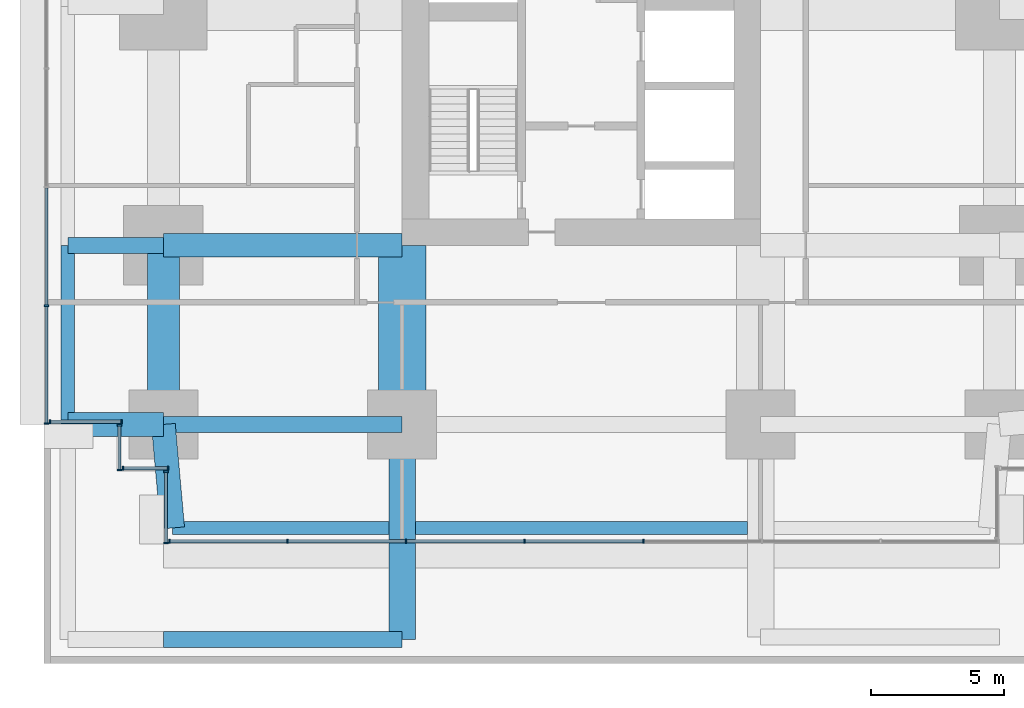
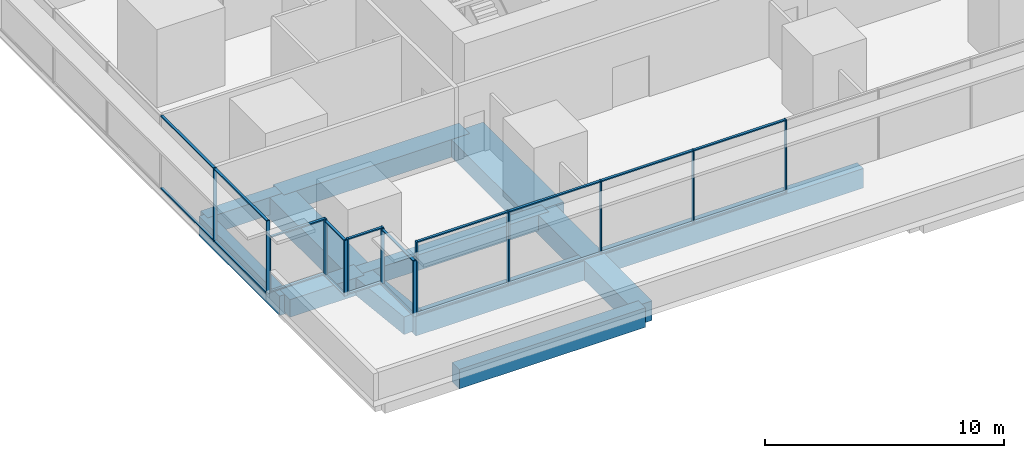
# One storey, part 2 of 34: 35 members, 12 beams, 6 elements without a shape of their own.
"""IFC4 building model written with IfcOpenShell, lengths in metres."""

from ifc_helpers import new_model, si_unit, direction, frame, origin, origin_2d, place, context, subcontext, project, spatial, rectangle, extrude, material, layer, layer_set, material_profile, profile_set, type_object, element, aggregate, save


model = new_model("IFC4")

# Units and contexts
model_context = context("Model", 3, precision=1e-05, world=origin(), true_north=direction((0.0, 1.0)))
body_context = subcontext(model_context, "Body", "Model", "MODEL_VIEW")
ifc_project = project(units=[si_unit("LENGTHUNIT", "METRE"), si_unit("AREAUNIT", "SQUARE_METRE"), si_unit("VOLUMEUNIT", "CUBIC_METRE"), si_unit("PLANEANGLEUNIT", "RADIAN"), si_unit("MASSUNIT", "GRAM", prefix="KILO")], contexts=[model_context])

# Site, building, storey
site_placement = place(None, origin())
site = spatial("IfcSite", under=ifc_project, at=site_placement, CompositionType="ELEMENT")
building_placement = place(site_placement, origin())
building = spatial("IfcBuilding", under=site, at=building_placement, Name="Namib Vertical Campus", CompositionType="ELEMENT")
storey_placement = place(building_placement, frame((0.0, 0.0, 21.0)))
storey = spatial("IfcBuildingStorey", under=building, at=storey_placement, Name="L04", CompositionType="ELEMENT", Elevation=21.0)

# Beam
ifc_material_1 = material(Name="Concrete C40/50", Category="concrete")
ifc_material_profile_1 = material_profile(ifc_material_1, rectangle(XDim=0.60009765625, YDim=0.89990234375, at=origin_2d()))
ifc_profile_set_1 = profile_set([ifc_material_profile_1], Name="Concrete C40/50")
beam_type_1 = type_object("IfcBeamType", Name="Cantilever girder RC 600x900", PredefinedType="BEAM", material=ifc_profile_set_1)
beam_1_placement = place(storey_placement, frame((4.5, 11.25, -0.75), z_axis=(-1.0, 0.0, 0.0), x_axis=(0.0, -1.0, 0.0)))
element("IfcBeam", 1, at=beam_1_placement, inside=storey, type_object=beam_type_1, Name="Beam B3 L04", PredefinedType="BEAM", context=body_context, shape_type="SweptSolid", body=[
    extrude(rectangle(XDim=0.60009765625, YDim=0.89990234375, at=origin_2d()), origin(), (0.0, 0.0, 1.0), 3.60009765625),
])

# Curtain wall, members
ifc_material_2 = material(Name="Black aluminium curtain wall", Category="aluminium")
ifc_layer = layer(ifc_material_2, 0.199951171875)
ifc_layer_set = layer_set([ifc_layer], Name="Lounge curtain wall CW-L4")
curtain_wall_type = type_object("IfcCurtainWallType", Name="Lounge curtain wall CW-L4", PredefinedType="USERDEFINED", material=ifc_layer_set)
curtain_wall_1_placement = place(storey_placement, origin())
curtain_wall_1 = element("IfcCurtainWall", 2, at=curtain_wall_1_placement, inside=storey, type_object=curtain_wall_type, Name="Curtain wall CW-L4 L04 F01-1", ObjectType="CURTAIN WALL", PredefinedType="USERDEFINED")
ifc_material_3 = material(Name="Black anodised aluminium", Category="aluminium")
ifc_material_profile_2 = material_profile(ifc_material_3, rectangle(XDim=0.06005859375, YDim=0.159912109375, at=origin_2d()))
ifc_profile_set_2 = profile_set([ifc_material_profile_2], Name="Black anodised aluminium")
member_type_1 = type_object("IfcMemberType", Name="Curtain wall mullion 60x160", PredefinedType="MULLION", material=ifc_profile_set_2)
member_1_placement = place(storey_placement, frame((4.72998046875, 0.10009765625, 0.0), z_axis=(0.0, 0.0, 1.0), x_axis=(1.0, 0.0, 0.0)))
member_1 = element("IfcMember", 3, at=member_1_placement, type_object=member_type_1, Name="CW-L4 mullion 1", PredefinedType="MULLION", context=body_context, shape_type="SweptSolid", body=[
    extrude(rectangle(XDim=0.06005859375, YDim=0.159912109375, at=origin_2d()), origin(), (0.0, 0.0, 1.0), 3.75),
])
member_2_placement = place(storey_placement, frame((9.17138671875, 0.10009765625, 0.0), z_axis=(0.0, 0.0, 1.0), x_axis=(1.0, 0.0, 0.0)))
member_2 = element("IfcMember", 4, at=member_2_placement, type_object=member_type_1, Name="CW-L4 mullion 2", PredefinedType="MULLION", context=body_context, shape_type="SweptSolid", body=[
    extrude(rectangle(XDim=0.06005859375, YDim=0.159912109375, at=origin_2d()), origin(), (0.0, 0.0, 1.0), 3.75),
])
member_3_placement = place(storey_placement, frame((13.642822265625, 0.10009765625, 0.0), z_axis=(0.0, 0.0, 1.0), x_axis=(1.0, 0.0, 0.0)))
member_3 = element("IfcMember", 5, at=member_3_placement, type_object=member_type_1, Name="CW-L4 mullion 3", PredefinedType="MULLION", context=body_context, shape_type="SweptSolid", body=[
    extrude(rectangle(XDim=0.06005859375, YDim=0.159912109375, at=origin_2d()), origin(), (0.0, 0.0, 1.0), 3.75),
])
member_4_placement = place(storey_placement, frame((18.1142578125, 0.10009765625, 0.0), z_axis=(0.0, 0.0, 1.0), x_axis=(1.0, 0.0, 0.0)))
member_4 = element("IfcMember", 6, at=member_4_placement, type_object=member_type_1, Name="CW-L4 mullion 4", PredefinedType="MULLION", context=body_context, shape_type="SweptSolid", body=[
    extrude(rectangle(XDim=0.06005859375, YDim=0.159912109375, at=origin_2d()), origin(), (0.0, 0.0, 1.0), 3.75),
])
member_5_placement = place(storey_placement, frame((22.585693359375, 0.10009765625, 0.0), z_axis=(0.0, 0.0, 1.0), x_axis=(1.0, 0.0, 0.0)))
member_5 = element("IfcMember", 7, at=member_5_placement, type_object=member_type_1, Name="CW-L4 mullion 5", PredefinedType="MULLION", context=body_context, shape_type="SweptSolid", body=[
    extrude(rectangle(XDim=0.06005859375, YDim=0.159912109375, at=origin_2d()), origin(), (0.0, 0.0, 1.0), 3.75),
])

curtain_wall_2_placement = place(storey_placement, origin())
curtain_wall_2 = element("IfcCurtainWall", 8, at=curtain_wall_2_placement, inside=storey, type_object=curtain_wall_type, Name="Curtain wall CW-L4 L04 F16-1", ObjectType="CURTAIN WALL", PredefinedType="USERDEFINED")
member_6_placement = place(storey_placement, frame((0.10009765625, 8.971435546875, 0.0), z_axis=(0.0, 0.0, 1.0), x_axis=(0.0, -1.0, 0.0)))
member_6 = element("IfcMember", 9, at=member_6_placement, type_object=member_type_1, Name="CW-L4 mullion 7", PredefinedType="MULLION", context=body_context, shape_type="SweptSolid", body=[
    extrude(rectangle(XDim=0.06005859375, YDim=0.159912109375, at=origin_2d()), origin(), (0.0, 0.0, 1.0), 3.75),
])
member_7_placement = place(storey_placement, frame((0.10009765625, 4.530029296875, 0.0), z_axis=(0.0, 0.0, 1.0), x_axis=(0.0, -1.0, 0.0)))
member_7 = element("IfcMember", 10, at=member_7_placement, type_object=member_type_1, Name="CW-L4 mullion 8", PredefinedType="MULLION", context=body_context, shape_type="SweptSolid", body=[
    extrude(rectangle(XDim=0.06005859375, YDim=0.159912109375, at=origin_2d()), origin(), (0.0, 0.0, 1.0), 3.75),
])

curtain_wall_3_placement = place(storey_placement, origin())
curtain_wall_3 = element("IfcCurtainWall", 11, at=curtain_wall_3_placement, inside=storey, type_object=curtain_wall_type, Name="Curtain wall CW-L4 L04 F17-1", ObjectType="CURTAIN WALL", PredefinedType="USERDEFINED")
member_8_placement = place(storey_placement, frame((0.22998046875, 4.60009765625, 0.0), z_axis=(0.0, 0.0, 1.0), x_axis=(1.0, 0.0, 0.0)))
member_8 = element("IfcMember", 12, at=member_8_placement, type_object=member_type_1, Name="CW-L4 mullion 1", PredefinedType="MULLION", context=body_context, shape_type="SweptSolid", body=[
    extrude(rectangle(XDim=0.06005859375, YDim=0.159912109375, at=origin_2d()), origin(), (0.0, 0.0, 1.0), 2.85009765625),
])
member_9_placement = place(storey_placement, frame((2.919921875, 4.60009765625, 0.0), z_axis=(0.0, 0.0, 1.0), x_axis=(1.0, 0.0, 0.0)))
member_9 = element("IfcMember", 13, at=member_9_placement, type_object=member_type_1, Name="CW-L4 mullion 2", PredefinedType="MULLION", context=body_context, shape_type="SweptSolid", body=[
    extrude(rectangle(XDim=0.06005859375, YDim=0.159912109375, at=origin_2d()), origin(), (0.0, 0.0, 1.0), 2.85009765625),
])

curtain_wall_4_placement = place(storey_placement, origin())
curtain_wall_4 = element("IfcCurtainWall", 14, at=curtain_wall_4_placement, inside=storey, type_object=curtain_wall_type, Name="Curtain wall CW-L4 L04 F18-1", ObjectType="CURTAIN WALL", PredefinedType="USERDEFINED")
member_10_placement = place(storey_placement, frame((2.85009765625, 4.469970703125, 0.0), z_axis=(0.0, 0.0, 1.0), x_axis=(0.0, -1.0, 0.0)))
member_10 = element("IfcMember", 15, at=member_10_placement, type_object=member_type_1, Name="CW-L4 mullion 1", PredefinedType="MULLION", context=body_context, shape_type="SweptSolid", body=[
    extrude(rectangle(XDim=0.06005859375, YDim=0.159912109375, at=origin_2d()), origin(), (0.0, 0.0, 1.0), 2.85009765625),
])
member_11_placement = place(storey_placement, frame((2.85009765625, 2.780029296875, 0.0), z_axis=(0.0, 0.0, 1.0), x_axis=(0.0, -1.0, 0.0)))
member_11 = element("IfcMember", 16, at=member_11_placement, type_object=member_type_1, Name="CW-L4 mullion 2", PredefinedType="MULLION", context=body_context, shape_type="SweptSolid", body=[
    extrude(rectangle(XDim=0.06005859375, YDim=0.159912109375, at=origin_2d()), origin(), (0.0, 0.0, 1.0), 2.85009765625),
])

curtain_wall_5_placement = place(storey_placement, origin())
curtain_wall_5 = element("IfcCurtainWall", 17, at=curtain_wall_5_placement, inside=storey, type_object=curtain_wall_type, Name="Curtain wall CW-L4 L04 F19-1", ObjectType="CURTAIN WALL", PredefinedType="USERDEFINED")
member_12_placement = place(storey_placement, frame((2.97998046875, 2.85009765625, 0.0), z_axis=(0.0, 0.0, 1.0), x_axis=(1.0, 0.0, 0.0)))
member_12 = element("IfcMember", 18, at=member_12_placement, type_object=member_type_1, Name="CW-L4 mullion 1", PredefinedType="MULLION", context=body_context, shape_type="SweptSolid", body=[
    extrude(rectangle(XDim=0.06005859375, YDim=0.159912109375, at=origin_2d()), origin(), (0.0, 0.0, 1.0), 2.85009765625),
])
member_13_placement = place(storey_placement, frame((4.669921875, 2.85009765625, 0.0), z_axis=(0.0, 0.0, 1.0), x_axis=(1.0, 0.0, 0.0)))
member_13 = element("IfcMember", 19, at=member_13_placement, type_object=member_type_1, Name="CW-L4 mullion 2", PredefinedType="MULLION", context=body_context, shape_type="SweptSolid", body=[
    extrude(rectangle(XDim=0.06005859375, YDim=0.159912109375, at=origin_2d()), origin(), (0.0, 0.0, 1.0), 2.85009765625),
])

curtain_wall_6_placement = place(storey_placement, origin())
curtain_wall_6 = element("IfcCurtainWall", 20, at=curtain_wall_6_placement, inside=storey, type_object=curtain_wall_type, Name="Curtain wall CW-L4 L04 F20-1", ObjectType="CURTAIN WALL", PredefinedType="USERDEFINED")
member_14_placement = place(storey_placement, frame((4.60009765625, 2.719970703125, 0.0), z_axis=(0.0, 0.0, 1.0), x_axis=(0.0, -1.0, 0.0)))
member_14 = element("IfcMember", 21, at=member_14_placement, type_object=member_type_1, Name="CW-L4 mullion 1", PredefinedType="MULLION", context=body_context, shape_type="SweptSolid", body=[
    extrude(rectangle(XDim=0.06005859375, YDim=0.159912109375, at=origin_2d()), origin(), (0.0, 0.0, 1.0), 2.85009765625),
])
member_15_placement = place(storey_placement, frame((4.60009765625, 0.030029296875, 0.0), z_axis=(0.0, 0.0, 1.0), x_axis=(0.0, -1.0, 0.0)))
member_15 = element("IfcMember", 22, at=member_15_placement, type_object=member_type_1, Name="CW-L4 mullion 2", PredefinedType="MULLION", context=body_context, shape_type="SweptSolid", body=[
    extrude(rectangle(XDim=0.06005859375, YDim=0.159912109375, at=origin_2d()), origin(), (0.0, 0.0, 1.0), 2.85009765625),
])

# Member
ifc_material_4 = material(Name="Black anodised aluminium", Category="aluminium")
ifc_material_profile_3 = material_profile(ifc_material_4, rectangle(XDim=0.06005859375, YDim=0.1201171875, at=origin_2d()))
ifc_profile_set_3 = profile_set([ifc_material_profile_3], Name="Black anodised aluminium")
member_type_2 = type_object("IfcMemberType", Name="Curtain wall transom 60x120", PredefinedType="USERDEFINED", material=ifc_profile_set_3)
member_16_placement = place(storey_placement, frame((4.760009765625, 0.10009765625, 0.030029296875), z_axis=(1.0, 0.0, 0.0), x_axis=(0.0, 0.0, 1.0)))
member_16 = element("IfcMember", 23, at=member_16_placement, type_object=member_type_2, Name="CW-L4 transom 1.1", ObjectType="TRANSOM", PredefinedType="USERDEFINED", context=body_context, shape_type="SweptSolid", body=[
    extrude(rectangle(XDim=0.06005859375, YDim=0.1201171875, at=origin_2d()), origin(), (0.0, 0.0, 1.0), 4.38134765625),
])

member_17_placement = place(storey_placement, frame((4.760009765625, 0.10009765625, 3.719970703125), z_axis=(1.0, 0.0, 0.0), x_axis=(0.0, 0.0, 1.0)))
member_17 = element("IfcMember", 24, at=member_17_placement, type_object=member_type_2, Name="CW-L4 transom 1.2", ObjectType="TRANSOM", PredefinedType="USERDEFINED", context=body_context, shape_type="SweptSolid", body=[
    extrude(rectangle(XDim=0.06005859375, YDim=0.1201171875, at=origin_2d()), origin(), (0.0, 0.0, 1.0), 4.38134765625),
])

member_18_placement = place(storey_placement, frame((9.201416015625, 0.10009765625, 0.030029296875), z_axis=(1.0, 0.0, 0.0), x_axis=(0.0, 0.0, 1.0)))
member_18 = element("IfcMember", 25, at=member_18_placement, type_object=member_type_2, Name="CW-L4 transom 2.1", ObjectType="TRANSOM", PredefinedType="USERDEFINED", context=body_context, shape_type="SweptSolid", body=[
    extrude(rectangle(XDim=0.06005859375, YDim=0.1201171875, at=origin_2d()), origin(), (0.0, 0.0, 1.0), 4.411376953125),
])

member_19_placement = place(storey_placement, frame((9.201416015625, 0.10009765625, 3.719970703125), z_axis=(1.0, 0.0, 0.0), x_axis=(0.0, 0.0, 1.0)))
member_19 = element("IfcMember", 26, at=member_19_placement, type_object=member_type_2, Name="CW-L4 transom 2.2", ObjectType="TRANSOM", PredefinedType="USERDEFINED", context=body_context, shape_type="SweptSolid", body=[
    extrude(rectangle(XDim=0.06005859375, YDim=0.1201171875, at=origin_2d()), origin(), (0.0, 0.0, 1.0), 4.411376953125),
])

member_20_placement = place(storey_placement, frame((13.6728515625, 0.10009765625, 0.030029296875), z_axis=(1.0, 0.0, 0.0), x_axis=(0.0, 0.0, 1.0)))
member_20 = element("IfcMember", 27, at=member_20_placement, type_object=member_type_2, Name="CW-L4 transom 3.1", ObjectType="TRANSOM", PredefinedType="USERDEFINED", context=body_context, shape_type="SweptSolid", body=[
    extrude(rectangle(XDim=0.06005859375, YDim=0.1201171875, at=origin_2d()), origin(), (0.0, 0.0, 1.0), 4.411376953125),
])

member_21_placement = place(storey_placement, frame((13.6728515625, 0.10009765625, 3.719970703125), z_axis=(1.0, 0.0, 0.0), x_axis=(0.0, 0.0, 1.0)))
member_21 = element("IfcMember", 28, at=member_21_placement, type_object=member_type_2, Name="CW-L4 transom 3.2", ObjectType="TRANSOM", PredefinedType="USERDEFINED", context=body_context, shape_type="SweptSolid", body=[
    extrude(rectangle(XDim=0.06005859375, YDim=0.1201171875, at=origin_2d()), origin(), (0.0, 0.0, 1.0), 4.411376953125),
])

member_22_placement = place(storey_placement, frame((18.144287109375, 0.10009765625, 0.030029296875), z_axis=(1.0, 0.0, 0.0), x_axis=(0.0, 0.0, 1.0)))
member_22 = element("IfcMember", 29, at=member_22_placement, type_object=member_type_2, Name="CW-L4 transom 4.1", ObjectType="TRANSOM", PredefinedType="USERDEFINED", context=body_context, shape_type="SweptSolid", body=[
    extrude(rectangle(XDim=0.06005859375, YDim=0.1201171875, at=origin_2d()), origin(), (0.0, 0.0, 1.0), 4.411376953125),
])

member_23_placement = place(storey_placement, frame((18.144287109375, 0.10009765625, 3.719970703125), z_axis=(1.0, 0.0, 0.0), x_axis=(0.0, 0.0, 1.0)))
member_23 = element("IfcMember", 30, at=member_23_placement, type_object=member_type_2, Name="CW-L4 transom 4.2", ObjectType="TRANSOM", PredefinedType="USERDEFINED", context=body_context, shape_type="SweptSolid", body=[
    extrude(rectangle(XDim=0.06005859375, YDim=0.1201171875, at=origin_2d()), origin(), (0.0, 0.0, 1.0), 4.411376953125),
])

aggregate(curtain_wall_1, [member_1, member_2, member_3, member_4, member_5, member_16, member_17, member_18, member_19, member_20, member_21, member_22, member_23])

member_24_placement = place(storey_placement, frame((0.10009765625, 13.412841796875, 0.030029296875), z_axis=(0.0, -1.0, 0.0), x_axis=(0.0, 0.0, 1.0)))
member_24 = element("IfcMember", 31, at=member_24_placement, type_object=member_type_2, Name="CW-L4 transom 6.1", ObjectType="TRANSOM", PredefinedType="USERDEFINED", context=body_context, shape_type="SweptSolid", body=[
    extrude(rectangle(XDim=0.06005859375, YDim=0.1201171875, at=origin_2d()), origin(), (0.0, 0.0, 1.0), 4.411376953125),
])

member_25_placement = place(storey_placement, frame((0.10009765625, 13.412841796875, 3.719970703125), z_axis=(0.0, -1.0, 0.0), x_axis=(0.0, 0.0, 1.0)))
member_25 = element("IfcMember", 32, at=member_25_placement, type_object=member_type_2, Name="CW-L4 transom 6.2", ObjectType="TRANSOM", PredefinedType="USERDEFINED", context=body_context, shape_type="SweptSolid", body=[
    extrude(rectangle(XDim=0.06005859375, YDim=0.1201171875, at=origin_2d()), origin(), (0.0, 0.0, 1.0), 4.411376953125),
])

member_26_placement = place(storey_placement, frame((0.10009765625, 8.94140625, 0.030029296875), z_axis=(0.0, -1.0, 0.0), x_axis=(0.0, 0.0, 1.0)))
member_26 = element("IfcMember", 33, at=member_26_placement, type_object=member_type_2, Name="CW-L4 transom 7.1", ObjectType="TRANSOM", PredefinedType="USERDEFINED", context=body_context, shape_type="SweptSolid", body=[
    extrude(rectangle(XDim=0.06005859375, YDim=0.1201171875, at=origin_2d()), origin(), (0.0, 0.0, 1.0), 4.38134765625),
])

member_27_placement = place(storey_placement, frame((0.10009765625, 8.94140625, 3.719970703125), z_axis=(0.0, -1.0, 0.0), x_axis=(0.0, 0.0, 1.0)))
member_27 = element("IfcMember", 34, at=member_27_placement, type_object=member_type_2, Name="CW-L4 transom 7.2", ObjectType="TRANSOM", PredefinedType="USERDEFINED", context=body_context, shape_type="SweptSolid", body=[
    extrude(rectangle(XDim=0.06005859375, YDim=0.1201171875, at=origin_2d()), origin(), (0.0, 0.0, 1.0), 4.38134765625),
])

aggregate(curtain_wall_2, [member_6, member_7, member_24, member_25, member_26, member_27])

member_28_placement = place(storey_placement, frame((0.260009765625, 4.60009765625, 0.030029296875), z_axis=(1.0, 0.0, 0.0), x_axis=(0.0, 0.0, 1.0)))
member_28 = element("IfcMember", 35, at=member_28_placement, type_object=member_type_2, Name="CW-L4 transom 1.1", ObjectType="TRANSOM", PredefinedType="USERDEFINED", context=body_context, shape_type="SweptSolid", body=[
    extrude(rectangle(XDim=0.06005859375, YDim=0.1201171875, at=origin_2d()), origin(), (0.0, 0.0, 1.0), 2.6298828125),
])

member_29_placement = place(storey_placement, frame((0.260009765625, 4.60009765625, 2.820068359375), z_axis=(1.0, 0.0, 0.0), x_axis=(0.0, 0.0, 1.0)))
member_29 = element("IfcMember", 36, at=member_29_placement, type_object=member_type_2, Name="CW-L4 transom 1.2", ObjectType="TRANSOM", PredefinedType="USERDEFINED", context=body_context, shape_type="SweptSolid", body=[
    extrude(rectangle(XDim=0.06005859375, YDim=0.1201171875, at=origin_2d()), origin(), (0.0, 0.0, 1.0), 2.6298828125),
])

aggregate(curtain_wall_3, [member_8, member_9, member_28, member_29])

member_30_placement = place(storey_placement, frame((2.85009765625, 4.43994140625, 0.030029296875), z_axis=(0.0, -1.0, 0.0), x_axis=(0.0, 0.0, 1.0)))
member_30 = element("IfcMember", 37, at=member_30_placement, type_object=member_type_2, Name="CW-L4 transom 1.1", ObjectType="TRANSOM", PredefinedType="USERDEFINED", context=body_context, shape_type="SweptSolid", body=[
    extrude(rectangle(XDim=0.06005859375, YDim=0.1201171875, at=origin_2d()), origin(), (0.0, 0.0, 1.0), 1.6298828125),
])

member_31_placement = place(storey_placement, frame((2.85009765625, 4.43994140625, 2.820068359375), z_axis=(0.0, -1.0, 0.0), x_axis=(0.0, 0.0, 1.0)))
member_31 = element("IfcMember", 38, at=member_31_placement, type_object=member_type_2, Name="CW-L4 transom 1.2", ObjectType="TRANSOM", PredefinedType="USERDEFINED", context=body_context, shape_type="SweptSolid", body=[
    extrude(rectangle(XDim=0.06005859375, YDim=0.1201171875, at=origin_2d()), origin(), (0.0, 0.0, 1.0), 1.6298828125),
])

aggregate(curtain_wall_4, [member_10, member_11, member_30, member_31])

member_32_placement = place(storey_placement, frame((3.010009765625, 2.85009765625, 0.030029296875), z_axis=(1.0, 0.0, 0.0), x_axis=(0.0, 0.0, 1.0)))
member_32 = element("IfcMember", 39, at=member_32_placement, type_object=member_type_2, Name="CW-L4 transom 1.1", ObjectType="TRANSOM", PredefinedType="USERDEFINED", context=body_context, shape_type="SweptSolid", body=[
    extrude(rectangle(XDim=0.06005859375, YDim=0.1201171875, at=origin_2d()), origin(), (0.0, 0.0, 1.0), 1.6298828125),
])

member_33_placement = place(storey_placement, frame((3.010009765625, 2.85009765625, 2.820068359375), z_axis=(1.0, 0.0, 0.0), x_axis=(0.0, 0.0, 1.0)))
member_33 = element("IfcMember", 40, at=member_33_placement, type_object=member_type_2, Name="CW-L4 transom 1.2", ObjectType="TRANSOM", PredefinedType="USERDEFINED", context=body_context, shape_type="SweptSolid", body=[
    extrude(rectangle(XDim=0.06005859375, YDim=0.1201171875, at=origin_2d()), origin(), (0.0, 0.0, 1.0), 1.6298828125),
])

aggregate(curtain_wall_5, [member_12, member_13, member_32, member_33])

member_34_placement = place(storey_placement, frame((4.60009765625, 2.68994140625, 0.030029296875), z_axis=(0.0, -1.0, 0.0), x_axis=(0.0, 0.0, 1.0)))
member_34 = element("IfcMember", 41, at=member_34_placement, type_object=member_type_2, Name="CW-L4 transom 1.1", ObjectType="TRANSOM", PredefinedType="USERDEFINED", context=body_context, shape_type="SweptSolid", body=[
    extrude(rectangle(XDim=0.06005859375, YDim=0.1201171875, at=origin_2d()), origin(), (0.0, 0.0, 1.0), 2.6298828125),
])

member_35_placement = place(storey_placement, frame((4.60009765625, 2.68994140625, 2.820068359375), z_axis=(0.0, -1.0, 0.0), x_axis=(0.0, 0.0, 1.0)))
member_35 = element("IfcMember", 42, at=member_35_placement, type_object=member_type_2, Name="CW-L4 transom 1.2", ObjectType="TRANSOM", PredefinedType="USERDEFINED", context=body_context, shape_type="SweptSolid", body=[
    extrude(rectangle(XDim=0.06005859375, YDim=0.1201171875, at=origin_2d()), origin(), (0.0, 0.0, 1.0), 2.6298828125),
])

aggregate(curtain_wall_6, [member_14, member_15, member_34, member_35])

# Beams
ifc_material_5 = material(Name="Concrete C40/50", Category="concrete")
ifc_material_profile_4 = material_profile(ifc_material_5, rectangle(XDim=0.89990234375, YDim=0.89990234375, at=origin_2d()))
ifc_profile_set_4 = profile_set([ifc_material_profile_4], Name="Concrete C40/50")
beam_type_2 = type_object("IfcBeamType", Name="Face girder RC 900x900", PredefinedType="BEAM", material=ifc_profile_set_4)
beam_2_placement = place(storey_placement, frame((4.5, 11.25, -0.75), z_axis=(1.0, 0.0, 0.0), x_axis=(0.0, 1.0, 0.0)))
element("IfcBeam", 43, at=beam_2_placement, inside=storey, type_object=beam_type_2, Name="Beam B10 L04", PredefinedType="BEAM", context=body_context, shape_type="SweptSolid", body=[
    extrude(rectangle(XDim=0.89990234375, YDim=0.89990234375, at=origin_2d()), origin(), (0.0, 0.0, 1.0), 9.0),
])
ifc_material_6 = material(Name="Concrete C40/50", Category="concrete")
ifc_material_profile_5 = material_profile(ifc_material_6, rectangle(XDim=1.199951171875, YDim=1.10009765625, at=origin_2d()))
ifc_profile_set_5 = profile_set([ifc_material_profile_5], Name="Concrete C40/50")
beam_type_3 = type_object("IfcBeamType", Name="Face ring beam RC 1200x1100", PredefinedType="BEAM", material=ifc_profile_set_5)
beam_3_placement = place(storey_placement, frame((4.5, 4.5, -0.85009765625), z_axis=(0.0, 1.0, 0.0), x_axis=(-1.0, 0.0, 0.0)))
element("IfcBeam", 44, at=beam_3_placement, inside=storey, type_object=beam_type_3, Name="Beam B11 L04", PredefinedType="BEAM", context=body_context, shape_type="SweptSolid", body=[
    extrude(rectangle(XDim=1.199951171875, YDim=1.10009765625, at=origin_2d()), origin(), (0.0, 0.0, 1.0), 6.75),
])
ifc_material_7 = material(Name="Concrete C40/50", Category="concrete")
ifc_material_profile_6 = material_profile(ifc_material_7, rectangle(XDim=1.800048828125, YDim=0.89990234375, at=origin_2d()))
ifc_profile_set_6 = profile_set([ifc_material_profile_6], Name="Concrete C40/50")
beam_type_4 = type_object("IfcBeamType", Name="Outrigger line girder RC 1800x900", PredefinedType="BEAM", material=ifc_profile_set_6)
beam_4_placement = place(storey_placement, frame((13.5, 4.5, -0.75), z_axis=(0.0, 1.0, 0.0), x_axis=(-1.0, 0.0, 0.0)))
element("IfcBeam", 45, at=beam_4_placement, inside=storey, type_object=beam_type_4, Name="Beam B12 L04", PredefinedType="BEAM", context=body_context, shape_type="SweptSolid", body=[
    extrude(rectangle(XDim=1.800048828125, YDim=0.89990234375, at=origin_2d()), origin(), (0.0, 0.0, 1.0), 6.75),
])
ifc_material_8 = material(Name="Concrete C40/50", Category="concrete")
ifc_material_profile_7 = material_profile(ifc_material_8, rectangle(XDim=0.60009765625, YDim=1.0, at=origin_2d()))
ifc_profile_set_7 = profile_set([ifc_material_profile_7], Name="Concrete C40/50")
beam_type_5 = type_object("IfcBeamType", Name="Podium beam RC 600x1000", PredefinedType="BEAM", material=ifc_profile_set_7)
beam_5_placement = place(storey_placement, frame((4.5, -3.60009765625, -0.800048828125), z_axis=(1.0, 0.0, 0.0), x_axis=(0.0, 1.0, 0.0)))
element("IfcBeam", 46, at=beam_5_placement, inside=storey, type_object=beam_type_5, Name="Beam PB1 L04", PredefinedType="BEAM", context=body_context, shape_type="SweptSolid", body=[
    extrude(rectangle(XDim=0.60009765625, YDim=1.0, at=origin_2d()), origin(), (0.0, 0.0, 1.0), 9.0),
])
ifc_material_9 = material(Name="Concrete C40/50", Category="concrete")
ifc_material_profile_8 = material_profile(ifc_material_9, rectangle(XDim=0.89990234375, YDim=0.89990234375, at=origin_2d()))
ifc_profile_set_8 = profile_set([ifc_material_profile_8], Name="Concrete C40/50")
beam_type_6 = type_object("IfcBeamType", Name="Podium roof corner cantilever RC 900x900", PredefinedType="BEAM", material=ifc_profile_set_8)
beam_6_placement = place(storey_placement, frame((4.5, 4.5, -0.75), z_axis=(0.089411326146, -0.995994786511, 0.0), x_axis=(0.995994786511, 0.089411326146, 0.0)))
element("IfcBeam", 47, at=beam_6_placement, inside=storey, type_object=beam_type_6, Name="Beam B13 L04", PredefinedType="BEAM", context=body_context, shape_type="SweptSolid", body=[
    extrude(rectangle(XDim=0.89990234375, YDim=0.89990234375, at=origin_2d()), origin(), (0.0, 0.0, 1.0), 3.91552734375),
])
beam_7_placement = place(storey_placement, frame((4.5, 4.5, -0.75), z_axis=(-1.0, 0.0, 0.0), x_axis=(0.0, -1.0, 0.0)))
element("IfcBeam", 48, at=beam_7_placement, inside=storey, type_object=beam_type_6, Name="Beam B13 L04", PredefinedType="BEAM", context=body_context, shape_type="SweptSolid", body=[
    extrude(rectangle(XDim=0.89990234375, YDim=0.89990234375, at=origin_2d()), origin(), (0.0, 0.0, 1.0), 3.60009765625),
])
ifc_material_10 = material(Name="Concrete C40/50", Category="concrete")
ifc_material_profile_9 = material_profile(ifc_material_10, rectangle(XDim=0.5, YDim=1.0, at=origin_2d()))
ifc_profile_set_9 = profile_set([ifc_material_profile_9], Name="Concrete C40/50")
beam_type_7 = type_object("IfcBeamType", Name="Podium roof edge beam RC 500x1000", PredefinedType="SPANDREL", material=ifc_profile_set_9)
beam_8_placement = place(storey_placement, frame((4.85009765625, 0.60009765625, -0.800048828125), z_axis=(1.0, 0.0, 0.0), x_axis=(0.0, 1.0, 0.0)))
element("IfcBeam", 49, at=beam_8_placement, inside=storey, type_object=beam_type_7, Name="Beam B8 L04", PredefinedType="SPANDREL", context=body_context, shape_type="SweptSolid", body=[
    extrude(rectangle(XDim=0.5, YDim=1.0, at=origin_2d()), origin(), (0.0, 0.0, 1.0), 8.14990234375),
])
beam_9_placement = place(storey_placement, frame((14.0, 0.60009765625, -0.800048828125), z_axis=(1.0, 0.0, 0.0), x_axis=(0.0, 1.0, 0.0)))
element("IfcBeam", 50, at=beam_9_placement, inside=storey, type_object=beam_type_7, Name="Beam B8 L04", PredefinedType="SPANDREL", context=body_context, shape_type="SweptSolid", body=[
    extrude(rectangle(XDim=0.5, YDim=1.0, at=origin_2d()), origin(), (0.0, 0.0, 1.0), 12.5),
])
beam_10_placement = place(storey_placement, frame((0.89990234375, 4.5, -0.800048828125), z_axis=(0.0, 1.0, 0.0), x_axis=(-1.0, 0.0, 0.0)))
element("IfcBeam", 51, at=beam_10_placement, inside=storey, type_object=beam_type_7, Name="Beam B8 L04", PredefinedType="SPANDREL", context=body_context, shape_type="SweptSolid", body=[
    extrude(rectangle(XDim=0.5, YDim=1.0, at=origin_2d()), origin(), (0.0, 0.0, 1.0), 6.75),
])
ifc_material_11 = material(Name="Concrete C40/50", Category="concrete")
ifc_material_profile_10 = material_profile(ifc_material_11, rectangle(XDim=1.0, YDim=1.0, at=origin_2d()))
ifc_profile_set_10 = profile_set([ifc_material_profile_10], Name="Concrete C40/50")
beam_type_8 = type_object("IfcBeamType", Name="Podium tie beam RC 1000x1000", PredefinedType="BEAM", material=ifc_profile_set_10)
beam_11_placement = place(storey_placement, frame((13.5, -3.60009765625, -0.800048828125), z_axis=(0.0, 1.0, 0.0), x_axis=(-1.0, 0.0, 0.0)))
element("IfcBeam", 52, at=beam_11_placement, inside=storey, type_object=beam_type_8, Name="Beam PB3 L04", PredefinedType="BEAM", context=body_context, shape_type="SweptSolid", body=[
    extrude(rectangle(XDim=1.0, YDim=1.0, at=origin_2d()), origin(), (0.0, 0.0, 1.0), 8.10009765625),
])
ifc_material_12 = material(Name="Concrete C40/50", Category="concrete")
ifc_material_profile_11 = material_profile(ifc_material_12, rectangle(XDim=0.60009765625, YDim=0.800048828125, at=origin_2d()))
ifc_profile_set_11 = profile_set([ifc_material_profile_11], Name="Concrete C40/50")
beam_type_9 = type_object("IfcBeamType", Name="Ring beam RC 600x800", PredefinedType="BEAM", material=ifc_profile_set_11)
beam_12_placement = place(storey_placement, frame((4.5, 4.5, -0.699951171875), z_axis=(1.0, 0.0, 0.0), x_axis=(0.0, 1.0, 0.0)))
element("IfcBeam", 53, at=beam_12_placement, inside=storey, type_object=beam_type_9, Name="Beam B1 L04", PredefinedType="BEAM", context=body_context, shape_type="SweptSolid", body=[
    extrude(rectangle(XDim=0.60009765625, YDim=0.800048828125, at=origin_2d()), origin(), (0.0, 0.0, 1.0), 9.0),
])

save(model, "model.ifc")
